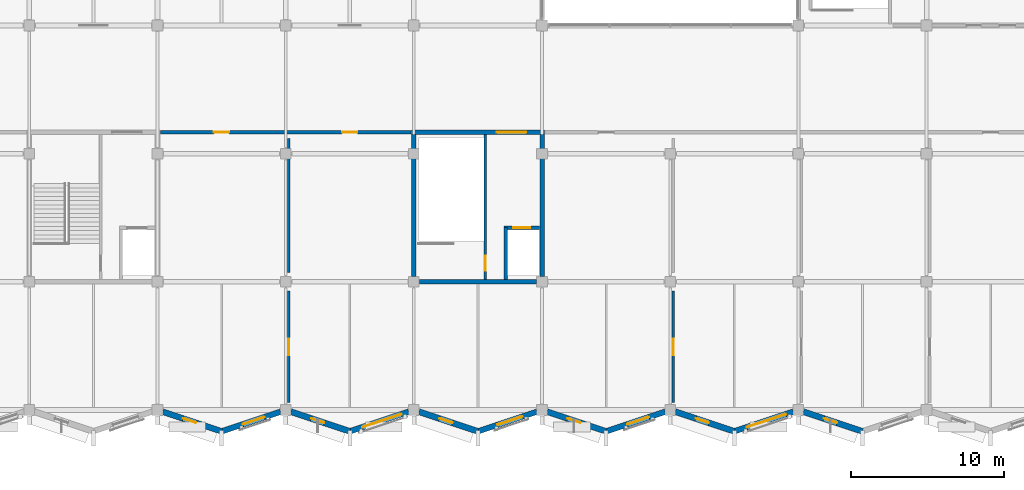
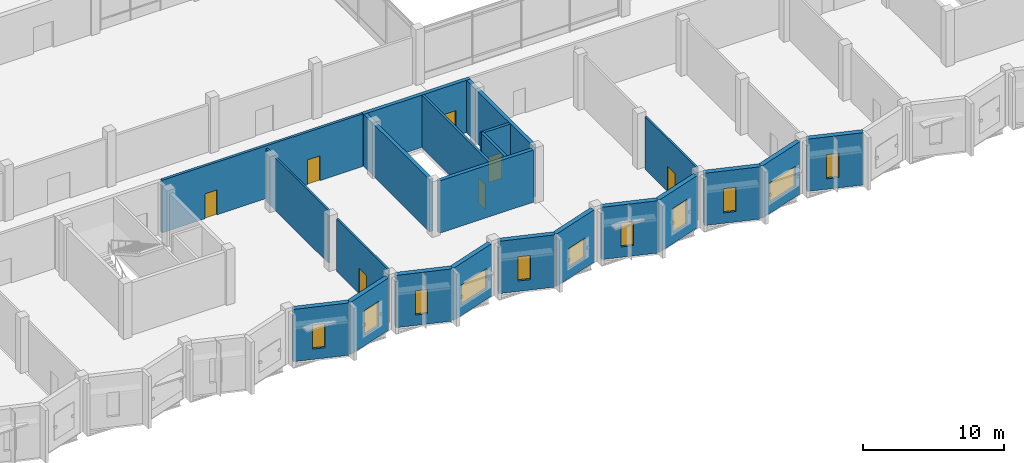
# One storey, part 90 of 110: 22 walls, 11 windows, 7 doors, 18 openings.
"""IFC4 building model written with IfcOpenShell, lengths in metres."""

from ifc_helpers import new_model, si_unit, direction, frame, frame_2d, origin, place, context, subcontext, project, spatial, rectangle, extrude, material, layer, layer_set, type_object, element, fill, save


model = new_model("IFC4")

# Units and contexts
model_context = context("Model", 3, precision=1e-05, world=origin(), true_north=direction((0.0, 1.0)))
body_context = subcontext(model_context, "Body", "Model", "MODEL_VIEW")
ifc_project = project(units=[si_unit("LENGTHUNIT", "METRE"), si_unit("AREAUNIT", "SQUARE_METRE"), si_unit("VOLUMEUNIT", "CUBIC_METRE"), si_unit("PLANEANGLEUNIT", "RADIAN"), si_unit("MASSUNIT", "GRAM", prefix="KILO")], contexts=[model_context])

# Site, building, storey
site_placement = place(None, origin())
site = spatial("IfcSite", under=ifc_project, at=site_placement, CompositionType="ELEMENT")
building_placement = place(site_placement, origin())
building = spatial("IfcBuilding", under=site, at=building_placement, Name="Qawsi Khor Wholesale Market", CompositionType="ELEMENT")
storey_placement = place(building_placement, frame((0.0, 0.0, 11.39990234375)))
storey = spatial("IfcBuildingStorey", under=building, at=storey_placement, Name="L02", CompositionType="ELEMENT", Elevation=11.39990234375)

# Walls
ifc_material_1 = material(Name="Concrete C40/50", Category="concrete")
ifc_layer_1 = layer(ifc_material_1, 0.300048828125, Name="Concrete C40/50")
ifc_layer_set_1 = layer_set([ifc_layer_1], Name="Concrete C40/50")
wall_type_1 = type_object("IfcWallType", Name="Core Shear Wall RC 300 C40/50", PredefinedType="SHEAR", material=ifc_layer_set_1)
wall_1_placement = place(storey_placement, frame((150.844970703125, 8.39990234375, 0.0), z_axis=(0.0, 0.0, 1.0), x_axis=(-1.0, 0.0, 0.0)))
element("IfcWall", 1, at=wall_1_placement, inside=storey, type_object=wall_type_1, Name="Core C05 south shear wall L02", PredefinedType="SHEAR", context=body_context, shape_type="SweptSolid", body=[
    extrude(rectangle(XDim=7.68994140625, YDim=0.300048828125, at=frame_2d((3.844970703125, 0.0))), origin(), (0.0, 0.0, 1.0), 4.52001953125),
])
wall_2_placement = place(storey_placement, frame((142.800048828125, 8.7548828125, 0.0), z_axis=(0.0, 0.0, 1.0), x_axis=(0.0, 1.0, 0.0)))
element("IfcWall", 2, at=wall_2_placement, inside=storey, type_object=wall_type_1, Name="Core C05 west shear wall L02", PredefinedType="SHEAR", context=body_context, shape_type="SweptSolid", body=[
    extrude(rectangle(XDim=9.295166015625, YDim=0.300048828125, at=frame_2d((4.6474609375, 0.0))), origin(), (0.0, 0.0, 1.0), 4.52001953125),
])

# Wall, opening, door
wall_3_placement = place(storey_placement, frame((142.64990234375, 18.199951171875, 0.0), z_axis=(0.0, 0.0, 1.0), x_axis=(1.0, 0.0, 0.0)))
wall_3 = element("IfcWall", 3, at=wall_3_placement, inside=storey, type_object=wall_type_1, Name="Core C05 north shear wall L02", PredefinedType="SHEAR", context=body_context, shape_type="SweptSolid", body=[
    extrude(rectangle(XDim=8.7001953125, YDim=0.300048828125, at=frame_2d((4.35009765625, 0.0))), origin(), (0.0, 0.0, 1.0), 4.52001953125),
])
opening_1_placement = place(wall_3_placement, frame((5.570068359375, 0.0, 0.0)))
opening_1 = element("IfcOpeningElement", 4, at=opening_1_placement, cuts=wall_3, Name="Opening ID-01", PredefinedType="OPENING", context=body_context, shape_type="SweptSolid", body=[
    extrude(rectangle(XDim=1.9599609375, YDim=2.199951171875, at=frame_2d((0.97998046875, 1.10009765625))), frame((0.0, 0.159912109375, 0.0), z_axis=(0.0, -1.0, 0.0), x_axis=(1.0, 0.0, 0.0)), (0.0, 0.0, 1.0), 0.320068359375),
])
ifc_material_2 = material(Name="Steel Fire Door", Category="steel")
door_type_1 = type_object("IfcDoorType", Name="Stair & Core Fire Door 1960x2200 FD90S", OperationType="NOTDEFINED", PredefinedType="DOOR", material=ifc_material_2)
door_1_placement = place(opening_1_placement, origin())
door_1 = element("IfcDoor", 5, at=door_1_placement, inside=storey, type_object=door_type_1, Name="Core C05 fire door L02", OperationType="DOUBLE_DOOR_SINGLE_SWING", OverallHeight=2.199951171875, OverallWidth=1.9599609375, PredefinedType="DOOR", context=body_context, shape_type="SweptSolid", body=[
    extrude(rectangle(XDim=1.9599609375, YDim=2.199951171875, at=frame_2d((0.97998046875, 1.10009765625))), frame((0.0, 0.02490234375, 0.0), z_axis=(0.0, -1.0, 0.0), x_axis=(1.0, 0.0, 0.0)), (0.0, 0.0, 1.0), 0.050048828125),
])
fill(opening_1, door_1)

# Wall
wall_4_placement = place(storey_placement, frame((151.199951171875, 18.050048828125, 0.0), z_axis=(0.0, 0.0, 1.0), x_axis=(0.0, -1.0, 0.0)))
element("IfcWall", 6, at=wall_4_placement, inside=storey, type_object=wall_type_1, Name="Core C05 east shear wall L02", PredefinedType="SHEAR", context=body_context, shape_type="SweptSolid", body=[
    extrude(rectangle(XDim=9.295166015625, YDim=0.300048828125, at=frame_2d((4.6474609375, 0.0))), origin(), (0.0, 0.0, 1.0), 4.52001953125),
])

# Wall, openings, doors
ifc_material_3 = material(Name="Gypsum Fireboard on Steel Stud", Category="steel")
ifc_layer_2 = layer(ifc_material_3, 0.2099609375, Name="Gypsum Fireboard on Steel Stud")
ifc_layer_set_2 = layer_set([ifc_layer_2], Name="Gypsum Fireboard on Steel Stud")
wall_type_2 = type_object("IfcWallType", Name="Corridor Fire Partition Wall 210", PredefinedType="PARTITIONING", material=ifc_layer_set_2)
wall_5_placement = place(storey_placement, frame((126.199951171875, 18.199951171875, 0.0), z_axis=(0.0, 0.0, 1.0), x_axis=(1.0, 0.0, 0.0)))
wall_5 = element("IfcWall", 7, at=wall_5_placement, inside=storey, type_object=wall_type_2, Name="PW-L02-084", PredefinedType="PARTITIONING", context=body_context, shape_type="SweptSolid", body=[
    extrude(rectangle(XDim=16.400146484375, YDim=0.2099609375, at=frame_2d((8.2001953125, 0.0))), origin(), (0.0, 0.0, 1.0), 4.550048828125),
])
opening_2_placement = place(wall_5_placement, frame((3.5, 0.0, 0.0)))
opening_2 = element("IfcOpeningElement", 8, at=opening_2_placement, cuts=wall_5, Name="Opening ID-06", PredefinedType="OPENING", context=body_context, shape_type="SweptSolid", body=[
    extrude(rectangle(XDim=1.0, YDim=2.14990234375, at=frame_2d((0.5, 1.074951171875))), frame((0.0, 0.114990234375, 0.0), z_axis=(0.0, -1.0, 0.0), x_axis=(1.0, 0.0, 0.0)), (0.0, 0.0, 1.0), 0.22998046875),
])
opening_3_placement = place(wall_5_placement, frame((11.89990234375, 0.0, 0.0)))
opening_3 = element("IfcOpeningElement", 9, at=opening_3_placement, cuts=wall_5, Name="Opening ID-06", PredefinedType="OPENING", context=body_context, shape_type="SweptSolid", body=[
    extrude(rectangle(XDim=1.0, YDim=2.14990234375, at=frame_2d((0.5, 1.074951171875))), frame((0.0, 0.114990234375, 0.0), z_axis=(0.0, -1.0, 0.0), x_axis=(1.0, 0.0, 0.0)), (0.0, 0.0, 1.0), 0.22998046875),
])
ifc_material_4 = material(Name="Hardwood Timber Veneer", Category="wood")
door_type_2 = type_object("IfcDoorType", Name="Traders Office Single Door 1000x2150", OperationType="NOTDEFINED", PredefinedType="DOOR", material=ifc_material_4)
door_2_placement = place(opening_2_placement, origin())
door_2 = element("IfcDoor", 10, at=door_2_placement, inside=storey, type_object=door_type_2, Name="Traders Office Single Door 1000x2150 L02-090", OperationType="SINGLE_SWING_LEFT", OverallHeight=2.14990234375, OverallWidth=1.0, PredefinedType="DOOR", context=body_context, shape_type="SweptSolid", body=[
    extrude(rectangle(XDim=1.0, YDim=2.14990234375, at=frame_2d((0.5, 1.074951171875))), frame((0.0, 0.02490234375, 0.0), z_axis=(0.0, -1.0, 0.0), x_axis=(1.0, 0.0, 0.0)), (0.0, 0.0, 1.0), 0.050048828125),
])
fill(opening_2, door_2)
door_3_placement = place(opening_3_placement, origin())
door_3 = element("IfcDoor", 11, at=door_3_placement, inside=storey, type_object=door_type_2, Name="Traders Office Single Door 1000x2150 L02-091", OperationType="SINGLE_SWING_RIGHT", OverallHeight=2.14990234375, OverallWidth=1.0, PredefinedType="DOOR", context=body_context, shape_type="SweptSolid", body=[
    extrude(rectangle(XDim=1.0, YDim=2.14990234375, at=frame_2d((0.5, 1.074951171875))), frame((0.0, 0.02490234375, 0.0), z_axis=(0.0, -1.0, 0.0), x_axis=(1.0, 0.0, 0.0)), (0.0, 0.0, 1.0), 0.050048828125),
])
fill(opening_3, door_3)

# Wall
ifc_layer_3 = layer(ifc_material_1, 0.219970703125, Name="Concrete C40/50")
ifc_layer_set_3 = layer_set([ifc_layer_3], Name="Concrete C40/50")
wall_type_3 = type_object("IfcWallType", Name="Lift & Stair Shaft Wall RC 220", PredefinedType="SOLIDWALL", material=ifc_layer_set_3)
wall_6_placement = place(storey_placement, frame((148.81005859375, 8.56005859375, 0.0), z_axis=(0.0, 0.0, 1.0), x_axis=(0.0, 1.0, 0.0)))
element("IfcWall", 12, at=wall_6_placement, inside=storey, type_object=wall_type_3, Name="Lift PL-03 shaft wall W L02", PredefinedType="SOLIDWALL", context=body_context, shape_type="SweptSolid", body=[
    extrude(rectangle(XDim=3.389892578125, YDim=0.219970703125, at=frame_2d((1.69482421875, 0.0))), origin(), (0.0, 0.0, 1.0), 4.52001953125),
])

# Wall, opening, door
wall_7_placement = place(storey_placement, frame((148.699951171875, 11.949951171875, 0.0), z_axis=(0.0, 0.0, 1.0), x_axis=(1.0, 0.0, 0.0)))
wall_7 = element("IfcWall", 13, at=wall_7_placement, inside=storey, type_object=wall_type_3, Name="Lift PL-03 shaft wall N L02", PredefinedType="SOLIDWALL", context=body_context, shape_type="SweptSolid", body=[
    extrude(rectangle(XDim=2.340087890625, YDim=0.219970703125, at=frame_2d((1.169921875, 0.0))), origin(), (0.0, 0.0, 1.0), 4.52001953125),
])
opening_4_placement = place(wall_7_placement, frame((0.6201171875, 0.0, 0.0)))
opening_4 = element("IfcOpeningElement", 14, at=opening_4_placement, cuts=wall_7, Name="Opening LD-P110", PredefinedType="OPENING", context=body_context, shape_type="SweptSolid", body=[
    extrude(rectangle(XDim=1.10009765625, YDim=2.199951171875, at=frame_2d((0.550048828125, 1.10009765625))), frame((0.0, 0.119873046875, 0.0), z_axis=(0.0, -1.0, 0.0), x_axis=(1.0, 0.0, 0.0)), (0.0, 0.0, 1.0), 0.239990234375),
])
ifc_material_5 = material(Name="Brushed Stainless Steel", Category="steel")
door_type_3 = type_object("IfcDoorType", Name="Passenger Lift Landing Sliding Door 1100x2200 FD90S", OperationType="NOTDEFINED", PredefinedType="DOOR", material=ifc_material_5)
door_4_placement = place(opening_4_placement, origin())
door_4 = element("IfcDoor", 15, at=door_4_placement, inside=storey, type_object=door_type_3, Name="Lift PL-03 landing door L02", OperationType="SLIDING_TO_LEFT", OverallHeight=2.199951171875, OverallWidth=1.10009765625, PredefinedType="DOOR", context=body_context, shape_type="SweptSolid", body=[
    extrude(rectangle(XDim=1.10009765625, YDim=2.199951171875, at=frame_2d((0.550048828125, 1.10009765625))), frame((0.0, 0.02490234375, 0.0), z_axis=(0.0, -1.0, 0.0), x_axis=(1.0, 0.0, 0.0)), (0.0, 0.0, 1.0), 0.050048828125),
])
fill(opening_4, door_4)

ifc_material_6 = material(Name="Gypsum Board on Metal Stud", Category="gypsum")
ifc_layer_4 = layer(ifc_material_6, 0.14990234375, Name="Gypsum Board on Metal Stud")
ifc_layer_set_4 = layer_set([ifc_layer_4], Name="Gypsum Board on Metal Stud")
wall_type_4 = type_object("IfcWallType", Name="Office Partition Wall 150", PredefinedType="PARTITIONING", material=ifc_layer_set_4)
wall_8_placement = place(storey_placement, frame((134.60009765625, 0.5, 0.0), z_axis=(0.0, 0.0, 1.0), x_axis=(0.0, 1.0, 0.0)))
wall_8 = element("IfcWall", 16, at=wall_8_placement, inside=storey, type_object=wall_type_4, Name="PW-L02-085", PredefinedType="PARTITIONING", context=body_context, shape_type="SweptSolid", body=[
    extrude(rectangle(XDim=7.300048828125, YDim=0.14990234375, at=frame_2d((3.64990234375, 0.0))), origin(), (0.0, 0.0, 1.0), 4.550048828125),
])
opening_5_placement = place(wall_8_placement, frame((3.10009765625, 0.0, 0.0)))
opening_5 = element("IfcOpeningElement", 17, at=opening_5_placement, cuts=wall_8, Name="Opening ID-07", PredefinedType="OPENING", context=body_context, shape_type="SweptSolid", body=[
    extrude(rectangle(XDim=1.06005859375, YDim=2.179931640625, at=frame_2d((0.530029296875, 1.08984375))), frame((0.0, 0.0849609375, 0.0), z_axis=(0.0, -1.0, 0.0), x_axis=(1.0, 0.0, 0.0)), (0.0, 0.0, 1.0), 0.169921875),
])
door_type_4 = type_object("IfcDoorType", Name="Clearinghouse Suite Door 1060x2180", OperationType="NOTDEFINED", PredefinedType="DOOR", material=ifc_material_4)
door_5_placement = place(opening_5_placement, origin())
door_5 = element("IfcDoor", 18, at=door_5_placement, inside=storey, type_object=door_type_4, Name="Clearinghouse Suite Door 1060x2180 L02-092", OperationType="SINGLE_SWING_RIGHT", OverallHeight=2.179931640625, OverallWidth=1.06005859375, PredefinedType="DOOR", context=body_context, shape_type="SweptSolid", body=[
    extrude(rectangle(XDim=1.06005859375, YDim=2.179931640625, at=frame_2d((0.530029296875, 1.08984375))), frame((0.0, 0.02490234375, 0.0), z_axis=(0.0, -1.0, 0.0), x_axis=(1.0, 0.0, 0.0)), (0.0, 0.0, 1.0), 0.050048828125),
])
fill(opening_5, door_5)

# Wall
wall_9_placement = place(storey_placement, frame((134.60009765625, 9.0, 0.0), z_axis=(0.0, 0.0, 1.0), x_axis=(0.0, 1.0, 0.0)))
element("IfcWall", 19, at=wall_9_placement, inside=storey, type_object=wall_type_4, Name="PW-L02-086", PredefinedType="PARTITIONING", context=body_context, shape_type="SweptSolid", body=[
    extrude(rectangle(XDim=8.800048828125, YDim=0.14990234375, at=frame_2d((4.39990234375, 0.0))), origin(), (0.0, 0.0, 1.0), 4.550048828125),
])

# Wall, opening, door
wall_10_placement = place(storey_placement, frame((159.800048828125, 0.5, 0.0), z_axis=(0.0, 0.0, 1.0), x_axis=(0.0, 1.0, 0.0)))
wall_10 = element("IfcWall", 20, at=wall_10_placement, inside=storey, type_object=wall_type_4, Name="PW-L02-088", PredefinedType="PARTITIONING", context=body_context, shape_type="SweptSolid", body=[
    extrude(rectangle(XDim=7.300048828125, YDim=0.14990234375, at=frame_2d((3.64990234375, 0.0))), origin(), (0.0, 0.0, 1.0), 4.550048828125),
])
opening_6_placement = place(wall_10_placement, frame((3.10009765625, 0.0, 0.0)))
opening_6 = element("IfcOpeningElement", 21, at=opening_6_placement, cuts=wall_10, Name="Opening ID-07", PredefinedType="OPENING", context=body_context, shape_type="SweptSolid", body=[
    extrude(rectangle(XDim=1.06005859375, YDim=2.179931640625, at=frame_2d((0.530029296875, 1.08984375))), frame((0.0, 0.0849609375, 0.0), z_axis=(0.0, -1.0, 0.0), x_axis=(1.0, 0.0, 0.0)), (0.0, 0.0, 1.0), 0.169921875),
])
door_6_placement = place(opening_6_placement, origin())
door_6 = element("IfcDoor", 22, at=door_6_placement, inside=storey, type_object=door_type_4, Name="Clearinghouse Suite Door 1060x2180 L02-095", OperationType="SINGLE_SWING_RIGHT", OverallHeight=2.179931640625, OverallWidth=1.06005859375, PredefinedType="DOOR", context=body_context, shape_type="SweptSolid", body=[
    extrude(rectangle(XDim=1.06005859375, YDim=2.179931640625, at=frame_2d((0.530029296875, 1.08984375))), frame((0.0, 0.02490234375, 0.0), z_axis=(0.0, -1.0, 0.0), x_axis=(1.0, 0.0, 0.0)), (0.0, 0.0, 1.0), 0.050048828125),
])
fill(opening_6, door_6)

ifc_layer_5 = layer(ifc_material_1, 0.18994140625, Name="Concrete C40/50")
ifc_layer_set_5 = layer_set([ifc_layer_5], Name="Concrete C40/50")
wall_type_5 = type_object("IfcWallType", Name="Stairwell Enclosure Wall RC 190", PredefinedType="SOLIDWALL", material=ifc_layer_set_5)
wall_11_placement = place(storey_placement, frame((147.47998046875, 8.56005859375, 0.0), z_axis=(0.0, 0.0, 1.0), x_axis=(0.0, 1.0, 0.0)))
wall_11 = element("IfcWall", 23, at=wall_11_placement, inside=storey, type_object=wall_type_5, Name="Core C05 stairwell enclosure wall L02", PredefinedType="SOLIDWALL", context=body_context, shape_type="SweptSolid", body=[
    extrude(rectangle(XDim=9.47998046875, YDim=0.18994140625, at=frame_2d((4.739990234375, 0.0))), origin(), (0.0, 0.0, 1.0), 4.52001953125),
])
opening_7_placement = place(wall_11_placement, frame((0.580078125, 0.0, 0.0)))
opening_7 = element("IfcOpeningElement", 24, at=opening_7_placement, cuts=wall_11, Name="Opening ID-17", PredefinedType="OPENING", context=body_context, shape_type="SweptSolid", body=[
    extrude(rectangle(XDim=0.97998046875, YDim=2.14990234375, at=frame_2d((0.489990234375, 1.074951171875))), frame((0.0, 0.10498046875, 0.0), z_axis=(0.0, -1.0, 0.0), x_axis=(1.0, 0.0, 0.0)), (0.0, 0.0, 1.0), 0.2099609375),
])
door_type_5 = type_object("IfcDoorType", Name="Core Stair Lobby Fire Door 980x2150 FD120S", OperationType="NOTDEFINED", PredefinedType="DOOR", material=ifc_material_2)
door_7_placement = place(opening_7_placement, origin())
door_7 = element("IfcDoor", 25, at=door_7_placement, inside=storey, type_object=door_type_5, Name="Core C05 stair enclosure fire door L02", OperationType="SINGLE_SWING_LEFT", OverallHeight=2.14990234375, OverallWidth=0.97998046875, PredefinedType="DOOR", context=body_context, shape_type="SweptSolid", body=[
    extrude(rectangle(XDim=0.97998046875, YDim=2.14990234375, at=frame_2d((0.489990234375, 1.074951171875))), frame((0.0, 0.02490234375, 0.0), z_axis=(0.0, -1.0, 0.0), x_axis=(1.0, 0.0, 0.0)), (0.0, 0.0, 1.0), 0.050048828125),
])
fill(opening_7, door_7)

# Wall, opening, window
ifc_layer_6 = layer(ifc_material_1, 0.3701171875, Name="Concrete C40/50")
ifc_layer_set_6 = layer_set([ifc_layer_6], Name="Concrete C40/50")
wall_type_6 = type_object("IfcWallType", Name="Turned-Bay Concrete Facade Wall 370", PredefinedType="SOLIDWALL", material=ifc_layer_set_6)
wall_12_placement = place(storey_placement, frame((134.063232421875, -0.1123046875, 0.0), z_axis=(0.0, 0.0, 1.0), x_axis=(-0.948695287956, -0.316191794027, 0.0)))
wall_12 = element("IfcWall", 26, at=wall_12_placement, inside=storey, type_object=wall_type_6, Name="EW-L02-SBAY-26", PredefinedType="SOLIDWALL", context=body_context, shape_type="SweptSolid", body=[
    extrude(rectangle(XDim=4.072265625, YDim=0.3701171875, at=frame_2d((2.0361328125, 0.0))), origin(), (0.0, 0.0, 1.0), 4.52001953125),
])
opening_8_placement = place(wall_12_placement, frame((1.10791015625, 0.0, 0.89990234375)))
opening_8 = element("IfcOpeningElement", 27, at=opening_8_placement, cuts=wall_12, Name="Opening W-04", PredefinedType="OPENING", context=body_context, shape_type="SweptSolid", body=[
    extrude(rectangle(XDim=1.5, YDim=2.14990234375, at=frame_2d((0.75, 1.074951171875))), frame((0.0, 0.195068359375, 0.0), z_axis=(0.0, -1.0, 0.0), x_axis=(1.0, 0.0, 0.0)), (0.0, 0.0, 1.0), 0.39013671875),
])
ifc_material_7 = material(Name="Thermally Broken Aluminium & Low-E Glass", Category="aluminium")
window_type_1 = type_object("IfcWindowType", Name="Win W-04 Turned-Bay Wide 1500x2150", PartitioningType="SINGLE_PANEL", PredefinedType="WINDOW", material=ifc_material_7)
window_1_placement = place(opening_8_placement, origin())
window_1 = element("IfcWindow", 28, at=window_1_placement, inside=storey, type_object=window_type_1, Name="Win W-04 Turned-Bay Wide 1500x2150 066", OverallHeight=2.14990234375, OverallWidth=1.5, PartitioningType="SINGLE_PANEL", PredefinedType="WINDOW", context=body_context, shape_type="SweptSolid", body=[
    extrude(rectangle(XDim=1.5, YDim=2.14990234375, at=frame_2d((0.75, 1.074951171875))), frame((0.0, 0.030029296875, 0.0), z_axis=(0.0, -1.0, 0.0), x_axis=(1.0, 0.0, 0.0)), (0.0, 0.0, 1.0), 0.06005859375),
])
fill(opening_8, window_1)

wall_13_placement = place(storey_placement, frame((142.463134765625, -0.1123046875, 0.0), z_axis=(0.0, 0.0, 1.0), x_axis=(-0.948689293515, -0.316209779056, 0.0)))
wall_13 = element("IfcWall", 29, at=wall_13_placement, inside=storey, type_object=wall_type_6, Name="EW-L02-SBAY-28", PredefinedType="SOLIDWALL", context=body_context, shape_type="SweptSolid", body=[
    extrude(rectangle(XDim=4.072021484375, YDim=0.3701171875, at=frame_2d((2.0361328125, 0.0))), origin(), (0.0, 0.0, 1.0), 4.52001953125),
])
opening_9_placement = place(wall_13_placement, frame((0.508056640625, 0.0, 0.89990234375)))
opening_9 = element("IfcOpeningElement", 30, at=opening_9_placement, cuts=wall_13, Name="Opening W-09", PredefinedType="OPENING", context=body_context, shape_type="SweptSolid", body=[
    extrude(rectangle(XDim=2.699951171875, YDim=1.75, at=frame_2d((1.35009765625, 0.875))), frame((0.0, 0.195068359375, 0.0), z_axis=(0.0, -1.0, 0.0), x_axis=(1.0, 0.0, 0.0)), (0.0, 0.0, 1.0), 0.39013671875),
])
window_type_2 = type_object("IfcWindowType", Name="Win W-09 Clearinghouse Wide 2700x1750", PartitioningType="SINGLE_PANEL", PredefinedType="WINDOW", material=ifc_material_7)
window_2_placement = place(opening_9_placement, origin())
window_2 = element("IfcWindow", 31, at=window_2_placement, inside=storey, type_object=window_type_2, Name="Win W-09 Clearinghouse Wide 2700x1750 068", OverallHeight=1.75, OverallWidth=2.699951171875, PartitioningType="SINGLE_PANEL", PredefinedType="WINDOW", context=body_context, shape_type="SweptSolid", body=[
    extrude(rectangle(XDim=2.699951171875, YDim=1.75, at=frame_2d((1.35009765625, 0.875))), frame((0.0, 0.030029296875, 0.0), z_axis=(0.0, -1.0, 0.0), x_axis=(1.0, 0.0, 0.0)), (0.0, 0.0, 1.0), 0.06005859375),
])
fill(opening_9, window_2)

wall_14_placement = place(storey_placement, frame((150.86328125, -0.1123046875, 0.0), z_axis=(0.0, 0.0, 1.0), x_axis=(-0.948695287956, -0.316191794027, 0.0)))
wall_14 = element("IfcWall", 32, at=wall_14_placement, inside=storey, type_object=wall_type_6, Name="EW-L02-SBAY-30", PredefinedType="SOLIDWALL", context=body_context, shape_type="SweptSolid", body=[
    extrude(rectangle(XDim=4.072265625, YDim=0.3701171875, at=frame_2d((2.0361328125, 0.0))), origin(), (0.0, 0.0, 1.0), 4.52001953125),
])
opening_10_placement = place(wall_14_placement, frame((0.998046875, 0.0, 0.89990234375)))
opening_10 = element("IfcOpeningElement", 33, at=opening_10_placement, cuts=wall_14, Name="Opening W-23", PredefinedType="OPENING", context=body_context, shape_type="SweptSolid", body=[
    extrude(rectangle(XDim=1.719970703125, YDim=1.699951171875, at=frame_2d((0.85986328125, 0.85009765625))), frame((0.0, 0.195068359375, 0.0), z_axis=(0.0, -1.0, 0.0), x_axis=(1.0, 0.0, 0.0)), (0.0, 0.0, 1.0), 0.39013671875),
])
window_type_3 = type_object("IfcWindowType", Name="Win W-23 East Office Punched 1720x1700", PartitioningType="SINGLE_PANEL", PredefinedType="WINDOW", material=ifc_material_7)
window_3_placement = place(opening_10_placement, origin())
window_3 = element("IfcWindow", 34, at=window_3_placement, inside=storey, type_object=window_type_3, Name="Win W-23 East Office Punched 1720x1700 070", OverallHeight=1.699951171875, OverallWidth=1.719970703125, PartitioningType="SINGLE_PANEL", PredefinedType="WINDOW", context=body_context, shape_type="SweptSolid", body=[
    extrude(rectangle(XDim=1.719970703125, YDim=1.699951171875, at=frame_2d((0.85986328125, 0.85009765625))), frame((0.0, 0.030029296875, 0.0), z_axis=(0.0, -1.0, 0.0), x_axis=(1.0, 0.0, 0.0)), (0.0, 0.0, 1.0), 0.06005859375),
])
fill(opening_10, window_3)

wall_15_placement = place(storey_placement, frame((159.26318359375, -0.1123046875, 0.0), z_axis=(0.0, 0.0, 1.0), x_axis=(-0.948695287956, -0.316191794027, 0.0)))
wall_15 = element("IfcWall", 35, at=wall_15_placement, inside=storey, type_object=wall_type_6, Name="EW-L02-SBAY-32", PredefinedType="SOLIDWALL", context=body_context, shape_type="SweptSolid", body=[
    extrude(rectangle(XDim=4.072265625, YDim=0.3701171875, at=frame_2d((2.0361328125, 0.0))), origin(), (0.0, 0.0, 1.0), 4.52001953125),
])
opening_11_placement = place(wall_15_placement, frame((1.10791015625, 0.0, 0.89990234375)))
opening_11 = element("IfcOpeningElement", 36, at=opening_11_placement, cuts=wall_15, Name="Opening W-04", PredefinedType="OPENING", context=body_context, shape_type="SweptSolid", body=[
    extrude(rectangle(XDim=1.5, YDim=2.14990234375, at=frame_2d((0.75, 1.074951171875))), frame((0.0, 0.195068359375, 0.0), z_axis=(0.0, -1.0, 0.0), x_axis=(1.0, 0.0, 0.0)), (0.0, 0.0, 1.0), 0.39013671875),
])
window_4_placement = place(opening_11_placement, origin())
window_4 = element("IfcWindow", 37, at=window_4_placement, inside=storey, type_object=window_type_1, Name="Win W-04 Turned-Bay Wide 1500x2150 072", OverallHeight=2.14990234375, OverallWidth=1.5, PartitioningType="SINGLE_PANEL", PredefinedType="WINDOW", context=body_context, shape_type="SweptSolid", body=[
    extrude(rectangle(XDim=1.5, YDim=2.14990234375, at=frame_2d((0.75, 1.074951171875))), frame((0.0, 0.030029296875, 0.0), z_axis=(0.0, -1.0, 0.0), x_axis=(1.0, 0.0, 0.0)), (0.0, 0.0, 1.0), 0.06005859375),
])
fill(opening_11, window_4)

wall_16_placement = place(storey_placement, frame((167.6630859375, -0.1123046875, 0.0), z_axis=(0.0, 0.0, 1.0), x_axis=(-0.948689293515, -0.316209779056, 0.0)))
wall_16 = element("IfcWall", 38, at=wall_16_placement, inside=storey, type_object=wall_type_6, Name="EW-L02-SBAY-34", PredefinedType="SOLIDWALL", context=body_context, shape_type="SweptSolid", body=[
    extrude(rectangle(XDim=4.072021484375, YDim=0.3701171875, at=frame_2d((2.0361328125, 0.0))), origin(), (0.0, 0.0, 1.0), 4.52001953125),
])
opening_12_placement = place(wall_16_placement, frame((0.508056640625, 0.0, 0.89990234375)))
opening_12 = element("IfcOpeningElement", 39, at=opening_12_placement, cuts=wall_16, Name="Opening W-09", PredefinedType="OPENING", context=body_context, shape_type="SweptSolid", body=[
    extrude(rectangle(XDim=2.699951171875, YDim=1.75, at=frame_2d((1.35009765625, 0.875))), frame((0.0, 0.195068359375, 0.0), z_axis=(0.0, -1.0, 0.0), x_axis=(1.0, 0.0, 0.0)), (0.0, 0.0, 1.0), 0.39013671875),
])
window_5_placement = place(opening_12_placement, origin())
window_5 = element("IfcWindow", 40, at=window_5_placement, inside=storey, type_object=window_type_2, Name="Win W-09 Clearinghouse Wide 2700x1750 074", OverallHeight=1.75, OverallWidth=2.699951171875, PartitioningType="SINGLE_PANEL", PredefinedType="WINDOW", context=body_context, shape_type="SweptSolid", body=[
    extrude(rectangle(XDim=2.699951171875, YDim=1.75, at=frame_2d((1.35009765625, 0.875))), frame((0.0, 0.030029296875, 0.0), z_axis=(0.0, -1.0, 0.0), x_axis=(1.0, 0.0, 0.0)), (0.0, 0.0, 1.0), 0.06005859375),
])
fill(opening_12, window_5)

ifc_layer_7 = layer(ifc_material_1, 0.389892578125, Name="Concrete C40/50")
ifc_layer_set_7 = layer_set([ifc_layer_7], Name="Concrete C40/50")
wall_type_7 = type_object("IfcWallType", Name="Turned-Bay Concrete Facade Wall 390", PredefinedType="SOLIDWALL", material=ifc_layer_set_7)
wall_17_placement = place(storey_placement, frame((130.199951171875, -1.39990234375, 0.0), z_axis=(0.0, 0.0, 1.0), x_axis=(-0.948689293515, 0.316209779056, 0.0)))
wall_17 = element("IfcWall", 41, at=wall_17_placement, inside=storey, type_object=wall_type_7, Name="EW-L02-SBAY-25", PredefinedType="SOLIDWALL", context=body_context, shape_type="SweptSolid", body=[
    extrude(rectangle(XDim=4.072021484375, YDim=0.389892578125, at=frame_2d((2.0361328125, 0.0))), origin(), (0.0, 0.0, 1.0), 4.52001953125),
])
opening_13_placement = place(wall_17_placement, frame((1.762939453125, 0.0, 0.89990234375)))
opening_13 = element("IfcOpeningElement", 42, at=opening_13_placement, cuts=wall_17, Name="Opening W-02", PredefinedType="OPENING", context=body_context, shape_type="SweptSolid", body=[
    extrude(rectangle(XDim=0.89990234375, YDim=2.10009765625, at=frame_2d((0.449951171875, 1.050048828125))), frame((0.0, 0.204833984375, 0.0), z_axis=(0.0, -1.0, 0.0), x_axis=(1.0, 0.0, 0.0)), (0.0, 0.0, 1.0), 0.409912109375),
])
window_type_4 = type_object("IfcWindowType", Name="Win W-02 Deep-Set Narrow 900x2100", PartitioningType="SINGLE_PANEL", PredefinedType="WINDOW", material=ifc_material_7)
window_6_placement = place(opening_13_placement, origin())
window_6 = element("IfcWindow", 43, at=window_6_placement, inside=storey, type_object=window_type_4, Name="Win W-02 Deep-Set Narrow 900x2100 065", OverallHeight=2.10009765625, OverallWidth=0.89990234375, PartitioningType="SINGLE_PANEL", PredefinedType="WINDOW", context=body_context, shape_type="SweptSolid", body=[
    extrude(rectangle(XDim=0.89990234375, YDim=2.10009765625, at=frame_2d((0.449951171875, 1.050048828125))), frame((0.0, 0.030029296875, 0.0), z_axis=(0.0, -1.0, 0.0), x_axis=(1.0, 0.0, 0.0)), (0.0, 0.0, 1.0), 0.06005859375),
])
fill(opening_13, window_6)

wall_18_placement = place(storey_placement, frame((138.60009765625, -1.39990234375, 0.0), z_axis=(0.0, 0.0, 1.0), x_axis=(-0.948695287956, 0.316191794027, 0.0)))
wall_18 = element("IfcWall", 44, at=wall_18_placement, inside=storey, type_object=wall_type_7, Name="EW-L02-SBAY-27", PredefinedType="SOLIDWALL", context=body_context, shape_type="SweptSolid", body=[
    extrude(rectangle(XDim=4.072265625, YDim=0.389892578125, at=frame_2d((2.0361328125, 0.0))), origin(), (0.0, 0.0, 1.0), 4.52001953125),
])
opening_14_placement = place(wall_18_placement, frame((1.762939453125, 0.0, 0.89990234375)))
opening_14 = element("IfcOpeningElement", 45, at=opening_14_placement, cuts=wall_18, Name="Opening W-02", PredefinedType="OPENING", context=body_context, shape_type="SweptSolid", body=[
    extrude(rectangle(XDim=0.89990234375, YDim=2.10009765625, at=frame_2d((0.449951171875, 1.050048828125))), frame((0.0, 0.204833984375, 0.0), z_axis=(0.0, -1.0, 0.0), x_axis=(1.0, 0.0, 0.0)), (0.0, 0.0, 1.0), 0.409912109375),
])
window_7_placement = place(opening_14_placement, origin())
window_7 = element("IfcWindow", 46, at=window_7_placement, inside=storey, type_object=window_type_4, Name="Win W-02 Deep-Set Narrow 900x2100 067", OverallHeight=2.10009765625, OverallWidth=0.89990234375, PartitioningType="SINGLE_PANEL", PredefinedType="WINDOW", context=body_context, shape_type="SweptSolid", body=[
    extrude(rectangle(XDim=0.89990234375, YDim=2.10009765625, at=frame_2d((0.449951171875, 1.050048828125))), frame((0.0, 0.030029296875, 0.0), z_axis=(0.0, -1.0, 0.0), x_axis=(1.0, 0.0, 0.0)), (0.0, 0.0, 1.0), 0.06005859375),
])
fill(opening_14, window_7)

wall_19_placement = place(storey_placement, frame((147.0, -1.39990234375, 0.0), z_axis=(0.0, 0.0, 1.0), x_axis=(-0.948695287956, 0.316191794027, 0.0)))
wall_19 = element("IfcWall", 47, at=wall_19_placement, inside=storey, type_object=wall_type_7, Name="EW-L02-SBAY-29", PredefinedType="SOLIDWALL", context=body_context, shape_type="SweptSolid", body=[
    extrude(rectangle(XDim=4.072265625, YDim=0.389892578125, at=frame_2d((2.0361328125, 0.0))), origin(), (0.0, 0.0, 1.0), 4.52001953125),
])
opening_15_placement = place(wall_19_placement, frame((1.762939453125, 0.0, 0.89990234375)))
opening_15 = element("IfcOpeningElement", 48, at=opening_15_placement, cuts=wall_19, Name="Opening W-02", PredefinedType="OPENING", context=body_context, shape_type="SweptSolid", body=[
    extrude(rectangle(XDim=0.89990234375, YDim=2.10009765625, at=frame_2d((0.449951171875, 1.050048828125))), frame((0.0, 0.204833984375, 0.0), z_axis=(0.0, -1.0, 0.0), x_axis=(1.0, 0.0, 0.0)), (0.0, 0.0, 1.0), 0.409912109375),
])
window_8_placement = place(opening_15_placement, origin())
window_8 = element("IfcWindow", 49, at=window_8_placement, inside=storey, type_object=window_type_4, Name="Win W-02 Deep-Set Narrow 900x2100 069", OverallHeight=2.10009765625, OverallWidth=0.89990234375, PartitioningType="SINGLE_PANEL", PredefinedType="WINDOW", context=body_context, shape_type="SweptSolid", body=[
    extrude(rectangle(XDim=0.89990234375, YDim=2.10009765625, at=frame_2d((0.449951171875, 1.050048828125))), frame((0.0, 0.030029296875, 0.0), z_axis=(0.0, -1.0, 0.0), x_axis=(1.0, 0.0, 0.0)), (0.0, 0.0, 1.0), 0.06005859375),
])
fill(opening_15, window_8)

wall_20_placement = place(storey_placement, frame((155.39990234375, -1.39990234375, 0.0), z_axis=(0.0, 0.0, 1.0), x_axis=(-0.948689293515, 0.316209779056, 0.0)))
wall_20 = element("IfcWall", 50, at=wall_20_placement, inside=storey, type_object=wall_type_7, Name="EW-L02-SBAY-31", PredefinedType="SOLIDWALL", context=body_context, shape_type="SweptSolid", body=[
    extrude(rectangle(XDim=4.072021484375, YDim=0.389892578125, at=frame_2d((2.0361328125, 0.0))), origin(), (0.0, 0.0, 1.0), 4.52001953125),
])
opening_16_placement = place(wall_20_placement, frame((1.762939453125, 0.0, 0.89990234375)))
opening_16 = element("IfcOpeningElement", 51, at=opening_16_placement, cuts=wall_20, Name="Opening W-02", PredefinedType="OPENING", context=body_context, shape_type="SweptSolid", body=[
    extrude(rectangle(XDim=0.89990234375, YDim=2.10009765625, at=frame_2d((0.449951171875, 1.050048828125))), frame((0.0, 0.204833984375, 0.0), z_axis=(0.0, -1.0, 0.0), x_axis=(1.0, 0.0, 0.0)), (0.0, 0.0, 1.0), 0.409912109375),
])
window_9_placement = place(opening_16_placement, origin())
window_9 = element("IfcWindow", 52, at=window_9_placement, inside=storey, type_object=window_type_4, Name="Win W-02 Deep-Set Narrow 900x2100 071", OverallHeight=2.10009765625, OverallWidth=0.89990234375, PartitioningType="SINGLE_PANEL", PredefinedType="WINDOW", context=body_context, shape_type="SweptSolid", body=[
    extrude(rectangle(XDim=0.89990234375, YDim=2.10009765625, at=frame_2d((0.449951171875, 1.050048828125))), frame((0.0, 0.030029296875, 0.0), z_axis=(0.0, -1.0, 0.0), x_axis=(1.0, 0.0, 0.0)), (0.0, 0.0, 1.0), 0.06005859375),
])
fill(opening_16, window_9)

wall_21_placement = place(storey_placement, frame((163.800048828125, -1.39990234375, 0.0), z_axis=(0.0, 0.0, 1.0), x_axis=(-0.948695287956, 0.316191794027, 0.0)))
wall_21 = element("IfcWall", 53, at=wall_21_placement, inside=storey, type_object=wall_type_7, Name="EW-L02-SBAY-33", PredefinedType="SOLIDWALL", context=body_context, shape_type="SweptSolid", body=[
    extrude(rectangle(XDim=4.072265625, YDim=0.389892578125, at=frame_2d((2.0361328125, 0.0))), origin(), (0.0, 0.0, 1.0), 4.52001953125),
])
opening_17_placement = place(wall_21_placement, frame((1.762939453125, 0.0, 0.89990234375)))
opening_17 = element("IfcOpeningElement", 54, at=opening_17_placement, cuts=wall_21, Name="Opening W-02", PredefinedType="OPENING", context=body_context, shape_type="SweptSolid", body=[
    extrude(rectangle(XDim=0.89990234375, YDim=2.10009765625, at=frame_2d((0.449951171875, 1.050048828125))), frame((0.0, 0.204833984375, 0.0), z_axis=(0.0, -1.0, 0.0), x_axis=(1.0, 0.0, 0.0)), (0.0, 0.0, 1.0), 0.409912109375),
])
window_10_placement = place(opening_17_placement, origin())
window_10 = element("IfcWindow", 55, at=window_10_placement, inside=storey, type_object=window_type_4, Name="Win W-02 Deep-Set Narrow 900x2100 073", OverallHeight=2.10009765625, OverallWidth=0.89990234375, PartitioningType="SINGLE_PANEL", PredefinedType="WINDOW", context=body_context, shape_type="SweptSolid", body=[
    extrude(rectangle(XDim=0.89990234375, YDim=2.10009765625, at=frame_2d((0.449951171875, 1.050048828125))), frame((0.0, 0.030029296875, 0.0), z_axis=(0.0, -1.0, 0.0), x_axis=(1.0, 0.0, 0.0)), (0.0, 0.0, 1.0), 0.06005859375),
])
fill(opening_17, window_10)

wall_22_placement = place(storey_placement, frame((172.199951171875, -1.39990234375, 0.0), z_axis=(0.0, 0.0, 1.0), x_axis=(-0.948689293515, 0.316209779056, 0.0)))
wall_22 = element("IfcWall", 56, at=wall_22_placement, inside=storey, type_object=wall_type_7, Name="EW-L02-SBAY-35", PredefinedType="SOLIDWALL", context=body_context, shape_type="SweptSolid", body=[
    extrude(rectangle(XDim=4.072021484375, YDim=0.389892578125, at=frame_2d((2.0361328125, 0.0))), origin(), (0.0, 0.0, 1.0), 4.52001953125),
])
opening_18_placement = place(wall_22_placement, frame((1.762939453125, 0.0, 0.89990234375)))
opening_18 = element("IfcOpeningElement", 57, at=opening_18_placement, cuts=wall_22, Name="Opening W-02", PredefinedType="OPENING", context=body_context, shape_type="SweptSolid", body=[
    extrude(rectangle(XDim=0.89990234375, YDim=2.10009765625, at=frame_2d((0.449951171875, 1.050048828125))), frame((0.0, 0.204833984375, 0.0), z_axis=(0.0, -1.0, 0.0), x_axis=(1.0, 0.0, 0.0)), (0.0, 0.0, 1.0), 0.409912109375),
])
window_11_placement = place(opening_18_placement, origin())
window_11 = element("IfcWindow", 58, at=window_11_placement, inside=storey, type_object=window_type_4, Name="Win W-02 Deep-Set Narrow 900x2100 075", OverallHeight=2.10009765625, OverallWidth=0.89990234375, PartitioningType="SINGLE_PANEL", PredefinedType="WINDOW", context=body_context, shape_type="SweptSolid", body=[
    extrude(rectangle(XDim=0.89990234375, YDim=2.10009765625, at=frame_2d((0.449951171875, 1.050048828125))), frame((0.0, 0.030029296875, 0.0), z_axis=(0.0, -1.0, 0.0), x_axis=(1.0, 0.0, 0.0)), (0.0, 0.0, 1.0), 0.06005859375),
])
fill(opening_18, window_11)

save(model, "model.ifc")
